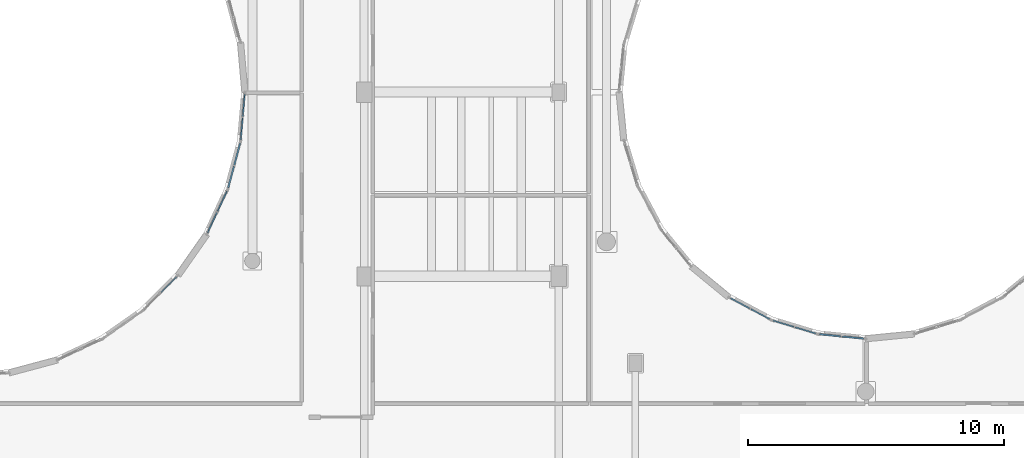
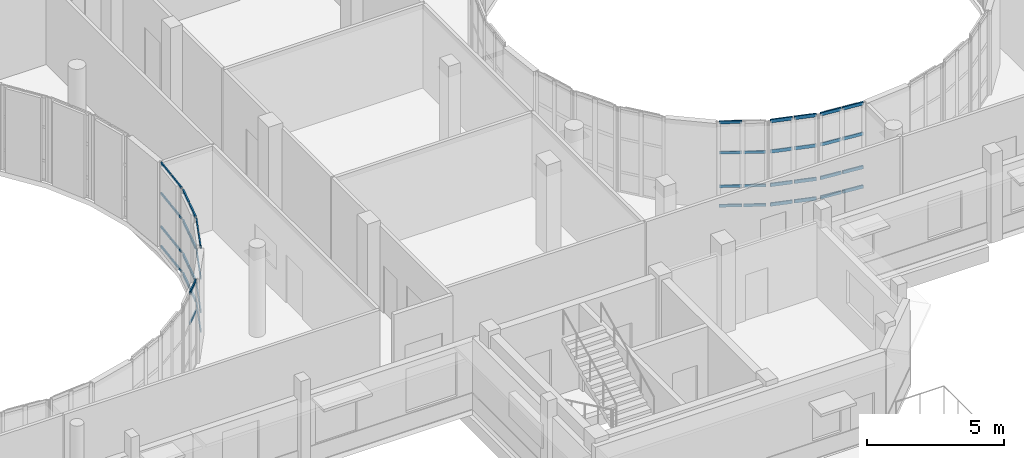
# One storey, part 49 of 89: 49 members, 7 elements without a shape of their own.
"""IFC4 building model written with IfcOpenShell, lengths in metres."""

from ifc_helpers import new_model, si_unit, direction, frame, origin, origin_2d, place, context, subcontext, project, spatial, hollow_rectangle, extrude, material, layer, layer_set, material_profile, profile_set, type_object, element, aggregate, save


model = new_model("IFC4")

# Units and contexts
model_context = context("Model", 3, precision=1e-05, world=origin(), true_north=direction((0.0, 1.0)))
body_context = subcontext(model_context, "Body", "Model", "MODEL_VIEW")
ifc_project = project(units=[si_unit("LENGTHUNIT", "METRE"), si_unit("AREAUNIT", "SQUARE_METRE"), si_unit("VOLUMEUNIT", "CUBIC_METRE"), si_unit("PLANEANGLEUNIT", "RADIAN"), si_unit("MASSUNIT", "GRAM", prefix="KILO")], contexts=[model_context])

# Site, building, storey
site_placement = place(None, origin())
site = spatial("IfcSite", under=ifc_project, at=site_placement, CompositionType="ELEMENT")
building_placement = place(site_placement, origin())
building = spatial("IfcBuilding", under=site, at=building_placement, Name="Kelanivale Promenade Academy", CompositionType="ELEMENT")
storey_placement = place(building_placement, frame((0.0, 0.0, 12.199951171875)))
storey = spatial("IfcBuildingStorey", under=building, at=storey_placement, Name="L03", CompositionType="ELEMENT", Elevation=12.199951171875)

# Curtain wall, members
ifc_material_1 = material(Name="Bronze anodised aluminium and solar-control low-E glass", Category="aluminium")
ifc_layer_1 = layer(ifc_material_1, 0.169921875)
ifc_layer_set_1 = layer_set([ifc_layer_1], Name="Bronze anodised aluminium and solar-control low-E glass")
curtain_wall_type_1 = type_object("IfcCurtainWallType", Name="CW-13 Curtain Wall 1350mm Module", PredefinedType="USERDEFINED", material=ifc_layer_set_1)
curtain_wall_1_placement = place(storey_placement, origin())
curtain_wall_1 = element("IfcCurtainWall", 1, at=curtain_wall_1_placement, inside=storey, type_object=curtain_wall_type_1, Name="L03 courtyard curtain wall CW-13", ObjectType="COURTYARD SCREEN GLAZING", PredefinedType="USERDEFINED")
ifc_material_2 = material(Name="Bronze anodised aluminium EN AW-6063 T6", Category="aluminium")
ifc_material_profile_1 = material_profile(ifc_material_2, hollow_rectangle(XDim=0.050048828125, YDim=0.10009765625, WallThickness=0.0029296875, at=origin_2d()), Name="ALU 50x100x3.0")
ifc_profile_set_1 = profile_set([ifc_material_profile_1], Name="Bronze anodised aluminium EN AW-6063 T6")
member_type_1 = type_object("IfcMemberType", Name="CWT-01 ALU 50x100x3.0", PredefinedType="USERDEFINED", material=ifc_profile_set_1)
member_1_placement = place(storey_placement, frame((74.377197265625, 54.937744140625, 0.025146484375), z_axis=(0.087314650278, 0.996180782713, 0.0), x_axis=(-0.996180782713, 0.087314650278, 0.0)))
member_1 = element("IfcMember", 2, at=member_1_placement, type_object=member_type_1, Name="CW-13 transom 1.1", ObjectType="TRANSOM", PredefinedType="USERDEFINED", context=body_context, shape_type="SweptSolid", body=[
    extrude(hollow_rectangle(XDim=0.050048828125, YDim=0.10009765625, WallThickness=0.0029296875, at=origin_2d()), origin(), (0.0, 0.0, 1.0), 0.861083984375),
])
member_2_placement = place(storey_placement, frame((74.377197265625, 54.937744140625, 0.900146484375), z_axis=(0.087314650278, 0.996180782713, 0.0), x_axis=(-0.996180782713, 0.087314650278, 0.0)))
member_2 = element("IfcMember", 3, at=member_2_placement, type_object=member_type_1, Name="CW-13 transom 1.2", ObjectType="TRANSOM", PredefinedType="USERDEFINED", context=body_context, shape_type="SweptSolid", body=[
    extrude(hollow_rectangle(XDim=0.050048828125, YDim=0.10009765625, WallThickness=0.0029296875, at=origin_2d()), origin(), (0.0, 0.0, 1.0), 0.861083984375),
])
member_3_placement = place(storey_placement, frame((74.377197265625, 54.937744140625, 2.400146484375), z_axis=(0.087314650278, 0.996180782713, 0.0), x_axis=(-0.996180782713, 0.087314650278, 0.0)))
member_3 = element("IfcMember", 4, at=member_3_placement, type_object=member_type_1, Name="CW-13 transom 1.3", ObjectType="TRANSOM", PredefinedType="USERDEFINED", context=body_context, shape_type="SweptSolid", body=[
    extrude(hollow_rectangle(XDim=0.050048828125, YDim=0.10009765625, WallThickness=0.0029296875, at=origin_2d()), origin(), (0.0, 0.0, 1.0), 0.861083984375),
])
member_4_placement = place(storey_placement, frame((74.377197265625, 54.937744140625, 3.755126953125), z_axis=(0.087314650278, 0.996180782713, 0.0), x_axis=(-0.996180782713, 0.087314650278, 0.0)))
member_4 = element("IfcMember", 5, at=member_4_placement, type_object=member_type_1, Name="CW-13 transom 1.4", ObjectType="TRANSOM", PredefinedType="USERDEFINED", context=body_context, shape_type="SweptSolid", body=[
    extrude(hollow_rectangle(XDim=0.050048828125, YDim=0.10009765625, WallThickness=0.0029296875, at=origin_2d()), origin(), (0.0, 0.0, 1.0), 0.861083984375),
])
member_5_placement = place(storey_placement, frame((74.45751953125, 55.85546875, 0.025146484375), z_axis=(0.087339315434, 0.996178620519, 0.0), x_axis=(-0.996178620519, 0.087339315434, 0.0)))
member_5 = element("IfcMember", 6, at=member_5_placement, type_object=member_type_1, Name="CW-13 transom 2.1", ObjectType="TRANSOM", PredefinedType="USERDEFINED", context=body_context, shape_type="SweptSolid", body=[
    extrude(hollow_rectangle(XDim=0.050048828125, YDim=0.10009765625, WallThickness=0.0029296875, at=origin_2d()), origin(), (0.0, 0.0, 1.0), 0.86083984375),
])
member_6_placement = place(storey_placement, frame((74.45751953125, 55.85546875, 0.900146484375), z_axis=(0.087339315434, 0.996178620519, 0.0), x_axis=(-0.996178620519, 0.087339315434, 0.0)))
member_6 = element("IfcMember", 7, at=member_6_placement, type_object=member_type_1, Name="CW-13 transom 2.2", ObjectType="TRANSOM", PredefinedType="USERDEFINED", context=body_context, shape_type="SweptSolid", body=[
    extrude(hollow_rectangle(XDim=0.050048828125, YDim=0.10009765625, WallThickness=0.0029296875, at=origin_2d()), origin(), (0.0, 0.0, 1.0), 0.86083984375),
])
member_7_placement = place(storey_placement, frame((74.45751953125, 55.85546875, 2.400146484375), z_axis=(0.087339315434, 0.996178620519, 0.0), x_axis=(-0.996178620519, 0.087339315434, 0.0)))
member_7 = element("IfcMember", 8, at=member_7_placement, type_object=member_type_1, Name="CW-13 transom 2.3", ObjectType="TRANSOM", PredefinedType="USERDEFINED", context=body_context, shape_type="SweptSolid", body=[
    extrude(hollow_rectangle(XDim=0.050048828125, YDim=0.10009765625, WallThickness=0.0029296875, at=origin_2d()), origin(), (0.0, 0.0, 1.0), 0.86083984375),
])
member_8_placement = place(storey_placement, frame((74.45751953125, 55.85546875, 3.755126953125), z_axis=(0.087339315434, 0.996178620519, 0.0), x_axis=(-0.996178620519, 0.087339315434, 0.0)))
member_8 = element("IfcMember", 9, at=member_8_placement, type_object=member_type_1, Name="CW-13 transom 2.4", ObjectType="TRANSOM", PredefinedType="USERDEFINED", context=body_context, shape_type="SweptSolid", body=[
    extrude(hollow_rectangle(XDim=0.050048828125, YDim=0.10009765625, WallThickness=0.0029296875, at=origin_2d()), origin(), (0.0, 0.0, 1.0), 0.86083984375),
])
aggregate(curtain_wall_1, [member_1, member_2, member_3, member_4, member_5, member_6, member_7, member_8])

ifc_layer_2 = layer(ifc_material_1, 0.179931640625)
ifc_layer_set_2 = layer_set([ifc_layer_2], Name="Bronze anodised aluminium and solar-control low-E glass")
curtain_wall_type_2 = type_object("IfcCurtainWallType", Name="CW-02 Curtain Wall 1500mm Module", PredefinedType="USERDEFINED", material=ifc_layer_set_2)
curtain_wall_2_placement = place(storey_placement, origin())
curtain_wall_2 = element("IfcCurtainWall", 10, at=curtain_wall_2_placement, inside=storey, type_object=curtain_wall_type_2, Name="L03 courtyard curtain wall CW-02", ObjectType="UNITISED GLAZING", PredefinedType="USERDEFINED")
ifc_material_profile_2 = material_profile(ifc_material_2, hollow_rectangle(XDim=0.050048828125, YDim=0.1201171875, WallThickness=0.0029296875, at=origin_2d()), Name="ALU 50x120x3.0")
ifc_profile_set_2 = profile_set([ifc_material_profile_2], Name="Bronze anodised aluminium EN AW-6063 T6")
member_type_2 = type_object("IfcMemberType", Name="CWT-02 ALU 50x120x3.0", PredefinedType="USERDEFINED", material=ifc_profile_set_2)
member_9_placement = place(storey_placement, frame((93.52197265625, 48.74267578125, 0.025146484375), z_axis=(0.881979921347, -0.471286980873, 0.0), x_axis=(0.471286980873, 0.881979921347, 0.0)))
member_9 = element("IfcMember", 11, at=member_9_placement, type_object=member_type_2, Name="CW-02 transom 1.1", ObjectType="TRANSOM", PredefinedType="USERDEFINED", context=body_context, shape_type="SweptSolid", body=[
    extrude(hollow_rectangle(XDim=0.050048828125, YDim=0.1201171875, WallThickness=0.0029296875, at=origin_2d()), origin(), (0.0, 0.0, 1.0), 0.833984375),
])
member_10_placement = place(storey_placement, frame((93.52197265625, 48.74267578125, 0.900146484375), z_axis=(0.881979921347, -0.471286980873, 0.0), x_axis=(0.471286980873, 0.881979921347, 0.0)))
member_10 = element("IfcMember", 12, at=member_10_placement, type_object=member_type_2, Name="CW-02 transom 1.2", ObjectType="TRANSOM", PredefinedType="USERDEFINED", context=body_context, shape_type="SweptSolid", body=[
    extrude(hollow_rectangle(XDim=0.050048828125, YDim=0.1201171875, WallThickness=0.0029296875, at=origin_2d()), origin(), (0.0, 0.0, 1.0), 0.833984375),
])
member_11_placement = place(storey_placement, frame((93.52197265625, 48.74267578125, 2.400146484375), z_axis=(0.881979921347, -0.471286980873, 0.0), x_axis=(0.471286980873, 0.881979921347, 0.0)))
member_11 = element("IfcMember", 13, at=member_11_placement, type_object=member_type_2, Name="CW-02 transom 1.3", ObjectType="TRANSOM", PredefinedType="USERDEFINED", context=body_context, shape_type="SweptSolid", body=[
    extrude(hollow_rectangle(XDim=0.050048828125, YDim=0.1201171875, WallThickness=0.0029296875, at=origin_2d()), origin(), (0.0, 0.0, 1.0), 0.833984375),
])
member_12_placement = place(storey_placement, frame((93.52197265625, 48.74267578125, 3.755126953125), z_axis=(0.881979921347, -0.471286980873, 0.0), x_axis=(0.471286980873, 0.881979921347, 0.0)))
member_12 = element("IfcMember", 14, at=member_12_placement, type_object=member_type_2, Name="CW-02 transom 1.4", ObjectType="TRANSOM", PredefinedType="USERDEFINED", context=body_context, shape_type="SweptSolid", body=[
    extrude(hollow_rectangle(XDim=0.050048828125, YDim=0.1201171875, WallThickness=0.0029296875, at=origin_2d()), origin(), (0.0, 0.0, 1.0), 0.833984375),
])
member_13_placement = place(storey_placement, frame((94.310546875, 48.3212890625, 0.025146484375), z_axis=(0.881979921347, -0.471286980873, 0.0), x_axis=(0.471286980873, 0.881979921347, 0.0)))
member_13 = element("IfcMember", 15, at=member_13_placement, type_object=member_type_2, Name="CW-02 transom 2.1", ObjectType="TRANSOM", PredefinedType="USERDEFINED", context=body_context, shape_type="SweptSolid", body=[
    extrude(hollow_rectangle(XDim=0.050048828125, YDim=0.1201171875, WallThickness=0.0029296875, at=origin_2d()), origin(), (0.0, 0.0, 1.0), 0.833984375),
])
member_14_placement = place(storey_placement, frame((94.310546875, 48.3212890625, 0.900146484375), z_axis=(0.881979921347, -0.471286980873, 0.0), x_axis=(0.471286980873, 0.881979921347, 0.0)))
member_14 = element("IfcMember", 16, at=member_14_placement, type_object=member_type_2, Name="CW-02 transom 2.2", ObjectType="TRANSOM", PredefinedType="USERDEFINED", context=body_context, shape_type="SweptSolid", body=[
    extrude(hollow_rectangle(XDim=0.050048828125, YDim=0.1201171875, WallThickness=0.0029296875, at=origin_2d()), origin(), (0.0, 0.0, 1.0), 0.833984375),
])
member_15_placement = place(storey_placement, frame((94.310546875, 48.3212890625, 2.400146484375), z_axis=(0.881979921347, -0.471286980873, 0.0), x_axis=(0.471286980873, 0.881979921347, 0.0)))
member_15 = element("IfcMember", 17, at=member_15_placement, type_object=member_type_2, Name="CW-02 transom 2.3", ObjectType="TRANSOM", PredefinedType="USERDEFINED", context=body_context, shape_type="SweptSolid", body=[
    extrude(hollow_rectangle(XDim=0.050048828125, YDim=0.1201171875, WallThickness=0.0029296875, at=origin_2d()), origin(), (0.0, 0.0, 1.0), 0.833984375),
])
aggregate(curtain_wall_2, [member_9, member_10, member_11, member_12, member_13, member_14, member_15])

ifc_layer_3 = layer(ifc_material_1, 0.169921875)
ifc_layer_set_3 = layer_set([ifc_layer_3], Name="Bronze anodised aluminium and solar-control low-E glass")
curtain_wall_type_3 = type_object("IfcCurtainWallType", Name="CW-10 Curtain Wall 1800mm Module", PredefinedType="USERDEFINED", material=ifc_layer_set_3)
curtain_wall_3_placement = place(storey_placement, origin())
curtain_wall_3 = element("IfcCurtainWall", 18, at=curtain_wall_3_placement, inside=storey, type_object=curtain_wall_type_3, Name="L03 courtyard curtain wall CW-10", ObjectType="UNITISED GLAZING", PredefinedType="USERDEFINED")
member_16_placement = place(storey_placement, frame((71.26318359375, 48.96826171875, 2.400146484375), z_axis=(0.707106781187, 0.707106781187, 0.0), x_axis=(-0.707106781187, 0.707106781187, 0.0)))
member_16 = element("IfcMember", 19, at=member_16_placement, type_object=member_type_2, Name="CW-10 transom 2.3", ObjectType="TRANSOM", PredefinedType="USERDEFINED", context=body_context, shape_type="SweptSolid", body=[
    extrude(hollow_rectangle(XDim=0.050048828125, YDim=0.1201171875, WallThickness=0.0029296875, at=origin_2d()), origin(), (0.0, 0.0, 1.0), 0.8603515625),
])
member_17_placement = place(storey_placement, frame((71.26318359375, 48.96826171875, 3.755126953125), z_axis=(0.707106781187, 0.707106781187, 0.0), x_axis=(-0.707106781187, 0.707106781187, 0.0)))
member_17 = element("IfcMember", 20, at=member_17_placement, type_object=member_type_2, Name="CW-10 transom 2.4", ObjectType="TRANSOM", PredefinedType="USERDEFINED", context=body_context, shape_type="SweptSolid", body=[
    extrude(hollow_rectangle(XDim=0.050048828125, YDim=0.1201171875, WallThickness=0.0029296875, at=origin_2d()), origin(), (0.0, 0.0, 1.0), 0.8603515625),
])
aggregate(curtain_wall_3, [member_16, member_17])

ifc_layer_4 = layer(ifc_material_1, 0.159912109375)
ifc_layer_set_4 = layer_set([ifc_layer_4], Name="Bronze anodised aluminium and solar-control low-E glass")
curtain_wall_type_4 = type_object("IfcCurtainWallType", Name="CW-03 Curtain Wall 1650mm Module", PredefinedType="USERDEFINED", material=ifc_layer_set_4)
curtain_wall_4_placement = place(storey_placement, origin())
curtain_wall_4 = element("IfcCurtainWall", 21, at=curtain_wall_4_placement, inside=storey, type_object=curtain_wall_type_4, Name="L03 courtyard curtain wall CW-03", ObjectType="UNITISED GLAZING", PredefinedType="USERDEFINED")
ifc_material_profile_3 = material_profile(ifc_material_2, hollow_rectangle(XDim=0.050048828125, YDim=0.14990234375, WallThickness=0.00341796875, at=origin_2d()), Name="ALU 50x150x3.5")
ifc_profile_set_3 = profile_set([ifc_material_profile_3], Name="Bronze anodised aluminium EN AW-6063 T6")
member_type_3 = type_object("IfcMemberType", Name="CWT-03 ALU 50x150x3.5", PredefinedType="USERDEFINED", material=ifc_profile_set_3)
member_18_placement = place(storey_placement, frame((95.186279296875, 47.8701171875, 0.025146484375), z_axis=(0.957024404433, -0.290007395283, 0.0), x_axis=(0.290007395283, 0.957024404433, 0.0)))
member_18 = element("IfcMember", 22, at=member_18_placement, type_object=member_type_3, Name="CW-03 transom 1.1", ObjectType="TRANSOM", PredefinedType="USERDEFINED", context=body_context, shape_type="SweptSolid", body=[
    extrude(hollow_rectangle(XDim=0.050048828125, YDim=0.14990234375, WallThickness=0.00341796875, at=origin_2d()), origin(), (0.0, 0.0, 1.0), 0.83349609375),
])
member_19_placement = place(storey_placement, frame((95.186279296875, 47.8701171875, 0.900146484375), z_axis=(0.957024404433, -0.290007395283, 0.0), x_axis=(0.290007395283, 0.957024404433, 0.0)))
member_19 = element("IfcMember", 23, at=member_19_placement, type_object=member_type_3, Name="CW-03 transom 1.2", ObjectType="TRANSOM", PredefinedType="USERDEFINED", context=body_context, shape_type="SweptSolid", body=[
    extrude(hollow_rectangle(XDim=0.050048828125, YDim=0.14990234375, WallThickness=0.00341796875, at=origin_2d()), origin(), (0.0, 0.0, 1.0), 0.83349609375),
])
member_20_placement = place(storey_placement, frame((95.186279296875, 47.8701171875, 2.400146484375), z_axis=(0.957024404433, -0.290007395283, 0.0), x_axis=(0.290007395283, 0.957024404433, 0.0)))
member_20 = element("IfcMember", 24, at=member_20_placement, type_object=member_type_3, Name="CW-03 transom 1.3", ObjectType="TRANSOM", PredefinedType="USERDEFINED", context=body_context, shape_type="SweptSolid", body=[
    extrude(hollow_rectangle(XDim=0.050048828125, YDim=0.14990234375, WallThickness=0.00341796875, at=origin_2d()), origin(), (0.0, 0.0, 1.0), 0.83349609375),
])
member_21_placement = place(storey_placement, frame((95.186279296875, 47.8701171875, 3.755126953125), z_axis=(0.957024404433, -0.290007395283, 0.0), x_axis=(0.290007395283, 0.957024404433, 0.0)))
member_21 = element("IfcMember", 25, at=member_21_placement, type_object=member_type_3, Name="CW-03 transom 1.4", ObjectType="TRANSOM", PredefinedType="USERDEFINED", context=body_context, shape_type="SweptSolid", body=[
    extrude(hollow_rectangle(XDim=0.050048828125, YDim=0.14990234375, WallThickness=0.00341796875, at=origin_2d()), origin(), (0.0, 0.0, 1.0), 0.83349609375),
])
member_22_placement = place(storey_placement, frame((96.046142578125, 47.609619140625, 0.025146484375), z_axis=(0.957024404433, -0.290007395283, 0.0), x_axis=(0.290007395283, 0.957024404433, 0.0)))
member_22 = element("IfcMember", 26, at=member_22_placement, type_object=member_type_3, Name="CW-03 transom 2.1", ObjectType="TRANSOM", PredefinedType="USERDEFINED", context=body_context, shape_type="SweptSolid", body=[
    extrude(hollow_rectangle(XDim=0.050048828125, YDim=0.14990234375, WallThickness=0.00341796875, at=origin_2d()), origin(), (0.0, 0.0, 1.0), 0.83349609375),
])
member_23_placement = place(storey_placement, frame((96.046142578125, 47.609619140625, 0.900146484375), z_axis=(0.957024404433, -0.290007395283, 0.0), x_axis=(0.290007395283, 0.957024404433, 0.0)))
member_23 = element("IfcMember", 27, at=member_23_placement, type_object=member_type_3, Name="CW-03 transom 2.2", ObjectType="TRANSOM", PredefinedType="USERDEFINED", context=body_context, shape_type="SweptSolid", body=[
    extrude(hollow_rectangle(XDim=0.050048828125, YDim=0.14990234375, WallThickness=0.00341796875, at=origin_2d()), origin(), (0.0, 0.0, 1.0), 0.83349609375),
])
member_24_placement = place(storey_placement, frame((96.046142578125, 47.609619140625, 2.400146484375), z_axis=(0.957024404433, -0.290007395283, 0.0), x_axis=(0.290007395283, 0.957024404433, 0.0)))
member_24 = element("IfcMember", 28, at=member_24_placement, type_object=member_type_3, Name="CW-03 transom 2.3", ObjectType="TRANSOM", PredefinedType="USERDEFINED", context=body_context, shape_type="SweptSolid", body=[
    extrude(hollow_rectangle(XDim=0.050048828125, YDim=0.14990234375, WallThickness=0.00341796875, at=origin_2d()), origin(), (0.0, 0.0, 1.0), 0.83349609375),
])
member_25_placement = place(storey_placement, frame((96.046142578125, 47.609619140625, 3.755126953125), z_axis=(0.957024404433, -0.290007395283, 0.0), x_axis=(0.290007395283, 0.957024404433, 0.0)))
member_25 = element("IfcMember", 29, at=member_25_placement, type_object=member_type_3, Name="CW-03 transom 2.4", ObjectType="TRANSOM", PredefinedType="USERDEFINED", context=body_context, shape_type="SweptSolid", body=[
    extrude(hollow_rectangle(XDim=0.050048828125, YDim=0.14990234375, WallThickness=0.00341796875, at=origin_2d()), origin(), (0.0, 0.0, 1.0), 0.83349609375),
])
aggregate(curtain_wall_4, [member_18, member_19, member_20, member_21, member_22, member_23, member_24, member_25])

ifc_layer_5 = layer(ifc_material_1, 0.179931640625)
ifc_layer_set_5 = layer_set([ifc_layer_5], Name="Bronze anodised aluminium and solar-control low-E glass")
curtain_wall_type_5 = type_object("IfcCurtainWallType", Name="CW-11 Curtain Wall 1950mm Module", PredefinedType="USERDEFINED", material=ifc_layer_set_5)
curtain_wall_5_placement = place(storey_placement, origin())
curtain_wall_5 = element("IfcCurtainWall", 30, at=curtain_wall_5_placement, inside=storey, type_object=curtain_wall_type_5, Name="L03 courtyard curtain wall CW-11", ObjectType="UNITISED GLAZING", PredefinedType="USERDEFINED")
member_26_placement = place(storey_placement, frame((73.08642578125, 51.31396484375, 0.025146484375), z_axis=(0.423151534201, 0.906058926949, 0.0), x_axis=(-0.906058926949, 0.423151534201, 0.0)))
member_26 = element("IfcMember", 31, at=member_26_placement, type_object=member_type_3, Name="CW-11 transom 1.1", ObjectType="TRANSOM", PredefinedType="USERDEFINED", context=body_context, shape_type="SweptSolid", body=[
    extrude(hollow_rectangle(XDim=0.050048828125, YDim=0.14990234375, WallThickness=0.00341796875, at=origin_2d()), origin(), (0.0, 0.0, 1.0), 0.85400390625),
])
member_27_placement = place(storey_placement, frame((73.08642578125, 51.31396484375, 0.900146484375), z_axis=(0.423151534201, 0.906058926949, 0.0), x_axis=(-0.906058926949, 0.423151534201, 0.0)))
member_27 = element("IfcMember", 32, at=member_27_placement, type_object=member_type_3, Name="CW-11 transom 1.2", ObjectType="TRANSOM", PredefinedType="USERDEFINED", context=body_context, shape_type="SweptSolid", body=[
    extrude(hollow_rectangle(XDim=0.050048828125, YDim=0.14990234375, WallThickness=0.00341796875, at=origin_2d()), origin(), (0.0, 0.0, 1.0), 0.85400390625),
])
member_28_placement = place(storey_placement, frame((73.08642578125, 51.31396484375, 2.400146484375), z_axis=(0.423151534201, 0.906058926949, 0.0), x_axis=(-0.906058926949, 0.423151534201, 0.0)))
member_28 = element("IfcMember", 33, at=member_28_placement, type_object=member_type_3, Name="CW-11 transom 1.3", ObjectType="TRANSOM", PredefinedType="USERDEFINED", context=body_context, shape_type="SweptSolid", body=[
    extrude(hollow_rectangle(XDim=0.050048828125, YDim=0.14990234375, WallThickness=0.00341796875, at=origin_2d()), origin(), (0.0, 0.0, 1.0), 0.85400390625),
])
member_29_placement = place(storey_placement, frame((73.08642578125, 51.31396484375, 3.755126953125), z_axis=(0.423151534201, 0.906058926949, 0.0), x_axis=(-0.906058926949, 0.423151534201, 0.0)))
member_29 = element("IfcMember", 34, at=member_29_placement, type_object=member_type_3, Name="CW-11 transom 1.4", ObjectType="TRANSOM", PredefinedType="USERDEFINED", context=body_context, shape_type="SweptSolid", body=[
    extrude(hollow_rectangle(XDim=0.050048828125, YDim=0.14990234375, WallThickness=0.00341796875, at=origin_2d()), origin(), (0.0, 0.0, 1.0), 0.85400390625),
])
member_30_placement = place(storey_placement, frame((73.475341796875, 52.146484375, 0.025146484375), z_axis=(0.42291677323, 0.906168528984, 0.0), x_axis=(-0.906168528984, 0.42291677323, 0.0)))
member_30 = element("IfcMember", 35, at=member_30_placement, type_object=member_type_3, Name="CW-11 transom 2.1", ObjectType="TRANSOM", PredefinedType="USERDEFINED", context=body_context, shape_type="SweptSolid", body=[
    extrude(hollow_rectangle(XDim=0.050048828125, YDim=0.14990234375, WallThickness=0.00341796875, at=origin_2d()), origin(), (0.0, 0.0, 1.0), 0.853759765625),
])
member_31_placement = place(storey_placement, frame((73.475341796875, 52.146484375, 0.900146484375), z_axis=(0.42291677323, 0.906168528984, 0.0), x_axis=(-0.906168528984, 0.42291677323, 0.0)))
member_31 = element("IfcMember", 36, at=member_31_placement, type_object=member_type_3, Name="CW-11 transom 2.2", ObjectType="TRANSOM", PredefinedType="USERDEFINED", context=body_context, shape_type="SweptSolid", body=[
    extrude(hollow_rectangle(XDim=0.050048828125, YDim=0.14990234375, WallThickness=0.00341796875, at=origin_2d()), origin(), (0.0, 0.0, 1.0), 0.853759765625),
])
member_32_placement = place(storey_placement, frame((73.475341796875, 52.146484375, 2.400146484375), z_axis=(0.42291677323, 0.906168528984, 0.0), x_axis=(-0.906168528984, 0.42291677323, 0.0)))
member_32 = element("IfcMember", 37, at=member_32_placement, type_object=member_type_3, Name="CW-11 transom 2.3", ObjectType="TRANSOM", PredefinedType="USERDEFINED", context=body_context, shape_type="SweptSolid", body=[
    extrude(hollow_rectangle(XDim=0.050048828125, YDim=0.14990234375, WallThickness=0.00341796875, at=origin_2d()), origin(), (0.0, 0.0, 1.0), 0.853759765625),
])
member_33_placement = place(storey_placement, frame((73.475341796875, 52.146484375, 3.755126953125), z_axis=(0.42291677323, 0.906168528984, 0.0), x_axis=(-0.906168528984, 0.42291677323, 0.0)))
member_33 = element("IfcMember", 38, at=member_33_placement, type_object=member_type_3, Name="CW-11 transom 2.4", ObjectType="TRANSOM", PredefinedType="USERDEFINED", context=body_context, shape_type="SweptSolid", body=[
    extrude(hollow_rectangle(XDim=0.050048828125, YDim=0.14990234375, WallThickness=0.00341796875, at=origin_2d()), origin(), (0.0, 0.0, 1.0), 0.853759765625),
])
aggregate(curtain_wall_5, [member_26, member_27, member_28, member_29, member_30, member_31, member_32, member_33])

ifc_layer_6 = layer(ifc_material_1, 0.169921875)
ifc_layer_set_6 = layer_set([ifc_layer_6], Name="Bronze anodised aluminium and solar-control low-E glass")
curtain_wall_type_6 = type_object("IfcCurtainWallType", Name="CW-04 Curtain Wall 1800mm Module", PredefinedType="USERDEFINED", material=ifc_layer_set_6)
curtain_wall_6_placement = place(storey_placement, origin())
curtain_wall_6 = element("IfcCurtainWall", 39, at=curtain_wall_6_placement, inside=storey, type_object=curtain_wall_type_6, Name="L03 courtyard curtain wall CW-04", ObjectType="UNITISED GLAZING", PredefinedType="USERDEFINED")
ifc_material_profile_4 = material_profile(ifc_material_2, hollow_rectangle(XDim=0.06005859375, YDim=0.139892578125, WallThickness=0.00341796875, at=origin_2d()), Name="ALU 60x140x3.5")
ifc_profile_set_4 = profile_set([ifc_material_profile_4], Name="Bronze anodised aluminium EN AW-6063 T6")
member_type_4 = type_object("IfcMemberType", Name="CWT-04 ALU 60x140x3.5", PredefinedType="USERDEFINED", material=ifc_profile_set_4)
member_34_placement = place(storey_placement, frame((96.997802734375, 47.337646484375, 0.030029296875), z_axis=(0.995113003658, -0.098742645045, 0.0), x_axis=(0.098742645045, 0.995113003658, 0.0)))
member_34 = element("IfcMember", 40, at=member_34_placement, type_object=member_type_4, Name="CW-04 transom 1.1", ObjectType="TRANSOM", PredefinedType="USERDEFINED", context=body_context, shape_type="SweptSolid", body=[
    extrude(hollow_rectangle(XDim=0.06005859375, YDim=0.139892578125, WallThickness=0.00341796875, at=origin_2d()), origin(), (0.0, 0.0, 1.0), 0.825927734375),
])
member_35_placement = place(storey_placement, frame((96.997802734375, 47.337646484375, 0.900146484375), z_axis=(0.995113003658, -0.098742645045, 0.0), x_axis=(0.098742645045, 0.995113003658, 0.0)))
member_35 = element("IfcMember", 41, at=member_35_placement, type_object=member_type_4, Name="CW-04 transom 1.2", ObjectType="TRANSOM", PredefinedType="USERDEFINED", context=body_context, shape_type="SweptSolid", body=[
    extrude(hollow_rectangle(XDim=0.06005859375, YDim=0.139892578125, WallThickness=0.00341796875, at=origin_2d()), origin(), (0.0, 0.0, 1.0), 0.825927734375),
])
member_36_placement = place(storey_placement, frame((96.997802734375, 47.337646484375, 2.400146484375), z_axis=(0.995113003658, -0.098742645045, 0.0), x_axis=(0.098742645045, 0.995113003658, 0.0)))
member_36 = element("IfcMember", 42, at=member_36_placement, type_object=member_type_4, Name="CW-04 transom 1.3", ObjectType="TRANSOM", PredefinedType="USERDEFINED", context=body_context, shape_type="SweptSolid", body=[
    extrude(hollow_rectangle(XDim=0.06005859375, YDim=0.139892578125, WallThickness=0.00341796875, at=origin_2d()), origin(), (0.0, 0.0, 1.0), 0.825927734375),
])
member_37_placement = place(storey_placement, frame((96.997802734375, 47.337646484375, 3.75), z_axis=(0.995113003658, -0.098742645045, 0.0), x_axis=(0.098742645045, 0.995113003658, 0.0)))
member_37 = element("IfcMember", 43, at=member_37_placement, type_object=member_type_4, Name="CW-04 transom 1.4", ObjectType="TRANSOM", PredefinedType="USERDEFINED", context=body_context, shape_type="SweptSolid", body=[
    extrude(hollow_rectangle(XDim=0.06005859375, YDim=0.139892578125, WallThickness=0.00341796875, at=origin_2d()), origin(), (0.0, 0.0, 1.0), 0.825927734375),
])
member_38_placement = place(storey_placement, frame((97.88427734375, 47.249755859375, 0.030029296875), z_axis=(0.995144874966, -0.0984209217, 0.0), x_axis=(0.0984209217, 0.995144874966, 0.0)))
member_38 = element("IfcMember", 44, at=member_38_placement, type_object=member_type_4, Name="CW-04 transom 2.1", ObjectType="TRANSOM", PredefinedType="USERDEFINED", context=body_context, shape_type="SweptSolid", body=[
    extrude(hollow_rectangle(XDim=0.06005859375, YDim=0.139892578125, WallThickness=0.00341796875, at=origin_2d()), origin(), (0.0, 0.0, 1.0), 0.825927734375),
])
member_39_placement = place(storey_placement, frame((97.88427734375, 47.249755859375, 0.900146484375), z_axis=(0.995144874966, -0.0984209217, 0.0), x_axis=(0.0984209217, 0.995144874966, 0.0)))
member_39 = element("IfcMember", 45, at=member_39_placement, type_object=member_type_4, Name="CW-04 transom 2.2", ObjectType="TRANSOM", PredefinedType="USERDEFINED", context=body_context, shape_type="SweptSolid", body=[
    extrude(hollow_rectangle(XDim=0.06005859375, YDim=0.139892578125, WallThickness=0.00341796875, at=origin_2d()), origin(), (0.0, 0.0, 1.0), 0.825927734375),
])
member_40_placement = place(storey_placement, frame((97.88427734375, 47.249755859375, 2.400146484375), z_axis=(0.995144874966, -0.0984209217, 0.0), x_axis=(0.0984209217, 0.995144874966, 0.0)))
member_40 = element("IfcMember", 46, at=member_40_placement, type_object=member_type_4, Name="CW-04 transom 2.3", ObjectType="TRANSOM", PredefinedType="USERDEFINED", context=body_context, shape_type="SweptSolid", body=[
    extrude(hollow_rectangle(XDim=0.06005859375, YDim=0.139892578125, WallThickness=0.00341796875, at=origin_2d()), origin(), (0.0, 0.0, 1.0), 0.825927734375),
])
member_41_placement = place(storey_placement, frame((97.88427734375, 47.249755859375, 3.75), z_axis=(0.995144874966, -0.0984209217, 0.0), x_axis=(0.0984209217, 0.995144874966, 0.0)))
member_41 = element("IfcMember", 47, at=member_41_placement, type_object=member_type_4, Name="CW-04 transom 2.4", ObjectType="TRANSOM", PredefinedType="USERDEFINED", context=body_context, shape_type="SweptSolid", body=[
    extrude(hollow_rectangle(XDim=0.06005859375, YDim=0.139892578125, WallThickness=0.00341796875, at=origin_2d()), origin(), (0.0, 0.0, 1.0), 0.825927734375),
])
aggregate(curtain_wall_6, [member_34, member_35, member_36, member_37, member_38, member_39, member_40, member_41])

ifc_layer_7 = layer(ifc_material_1, 0.159912109375)
ifc_layer_set_7 = layer_set([ifc_layer_7], Name="Bronze anodised aluminium and solar-control low-E glass")
curtain_wall_type_7 = type_object("IfcCurtainWallType", Name="CW-12 Curtain Wall 1200mm Module", PredefinedType="USERDEFINED", material=ifc_layer_set_7)
curtain_wall_7_placement = place(storey_placement, origin())
curtain_wall_7 = element("IfcCurtainWall", 48, at=curtain_wall_7_placement, inside=storey, type_object=curtain_wall_type_7, Name="L03 courtyard curtain wall CW-12", ObjectType="UNITISED GLAZING", PredefinedType="USERDEFINED")
member_42_placement = place(storey_placement, frame((73.888916015625, 53.064697265625, 0.030029296875), z_axis=(0.258580186254, 0.965989796673, 0.0), x_axis=(-0.965989796673, 0.258580186254, 0.0)))
member_42 = element("IfcMember", 49, at=member_42_placement, type_object=member_type_4, Name="CW-12 transom 1.1", ObjectType="TRANSOM", PredefinedType="USERDEFINED", context=body_context, shape_type="SweptSolid", body=[
    extrude(hollow_rectangle(XDim=0.06005859375, YDim=0.139892578125, WallThickness=0.00341796875, at=origin_2d()), origin(), (0.0, 0.0, 1.0), 0.861083984375),
])
member_43_placement = place(storey_placement, frame((73.888916015625, 53.064697265625, 0.900146484375), z_axis=(0.258580186254, 0.965989796673, 0.0), x_axis=(-0.965989796673, 0.258580186254, 0.0)))
member_43 = element("IfcMember", 50, at=member_43_placement, type_object=member_type_4, Name="CW-12 transom 1.2", ObjectType="TRANSOM", PredefinedType="USERDEFINED", context=body_context, shape_type="SweptSolid", body=[
    extrude(hollow_rectangle(XDim=0.06005859375, YDim=0.139892578125, WallThickness=0.00341796875, at=origin_2d()), origin(), (0.0, 0.0, 1.0), 0.861083984375),
])
member_44_placement = place(storey_placement, frame((73.888916015625, 53.064697265625, 2.400146484375), z_axis=(0.258580186254, 0.965989796673, 0.0), x_axis=(-0.965989796673, 0.258580186254, 0.0)))
member_44 = element("IfcMember", 51, at=member_44_placement, type_object=member_type_4, Name="CW-12 transom 1.3", ObjectType="TRANSOM", PredefinedType="USERDEFINED", context=body_context, shape_type="SweptSolid", body=[
    extrude(hollow_rectangle(XDim=0.06005859375, YDim=0.139892578125, WallThickness=0.00341796875, at=origin_2d()), origin(), (0.0, 0.0, 1.0), 0.861083984375),
])
member_45_placement = place(storey_placement, frame((73.888916015625, 53.064697265625, 3.75), z_axis=(0.258580186254, 0.965989796673, 0.0), x_axis=(-0.965989796673, 0.258580186254, 0.0)))
member_45 = element("IfcMember", 52, at=member_45_placement, type_object=member_type_4, Name="CW-12 transom 1.4", ObjectType="TRANSOM", PredefinedType="USERDEFINED", context=body_context, shape_type="SweptSolid", body=[
    extrude(hollow_rectangle(XDim=0.06005859375, YDim=0.139892578125, WallThickness=0.00341796875, at=origin_2d()), origin(), (0.0, 0.0, 1.0), 0.861083984375),
])
member_46_placement = place(storey_placement, frame((74.12841796875, 53.95947265625, 0.030029296875), z_axis=(0.258580186254, 0.965989796673, 0.0), x_axis=(-0.965989796673, 0.258580186254, 0.0)))
member_46 = element("IfcMember", 53, at=member_46_placement, type_object=member_type_4, Name="CW-12 transom 2.1", ObjectType="TRANSOM", PredefinedType="USERDEFINED", context=body_context, shape_type="SweptSolid", body=[
    extrude(hollow_rectangle(XDim=0.06005859375, YDim=0.139892578125, WallThickness=0.00341796875, at=origin_2d()), origin(), (0.0, 0.0, 1.0), 0.861083984375),
])
member_47_placement = place(storey_placement, frame((74.12841796875, 53.95947265625, 0.900146484375), z_axis=(0.258580186254, 0.965989796673, 0.0), x_axis=(-0.965989796673, 0.258580186254, 0.0)))
member_47 = element("IfcMember", 54, at=member_47_placement, type_object=member_type_4, Name="CW-12 transom 2.2", ObjectType="TRANSOM", PredefinedType="USERDEFINED", context=body_context, shape_type="SweptSolid", body=[
    extrude(hollow_rectangle(XDim=0.06005859375, YDim=0.139892578125, WallThickness=0.00341796875, at=origin_2d()), origin(), (0.0, 0.0, 1.0), 0.861083984375),
])
member_48_placement = place(storey_placement, frame((74.12841796875, 53.95947265625, 2.400146484375), z_axis=(0.258580186254, 0.965989796673, 0.0), x_axis=(-0.965989796673, 0.258580186254, 0.0)))
member_48 = element("IfcMember", 55, at=member_48_placement, type_object=member_type_4, Name="CW-12 transom 2.3", ObjectType="TRANSOM", PredefinedType="USERDEFINED", context=body_context, shape_type="SweptSolid", body=[
    extrude(hollow_rectangle(XDim=0.06005859375, YDim=0.139892578125, WallThickness=0.00341796875, at=origin_2d()), origin(), (0.0, 0.0, 1.0), 0.861083984375),
])
member_49_placement = place(storey_placement, frame((74.12841796875, 53.95947265625, 3.75), z_axis=(0.258580186254, 0.965989796673, 0.0), x_axis=(-0.965989796673, 0.258580186254, 0.0)))
member_49 = element("IfcMember", 56, at=member_49_placement, type_object=member_type_4, Name="CW-12 transom 2.4", ObjectType="TRANSOM", PredefinedType="USERDEFINED", context=body_context, shape_type="SweptSolid", body=[
    extrude(hollow_rectangle(XDim=0.06005859375, YDim=0.139892578125, WallThickness=0.00341796875, at=origin_2d()), origin(), (0.0, 0.0, 1.0), 0.861083984375),
])
aggregate(curtain_wall_7, [member_42, member_43, member_44, member_45, member_46, member_47, member_48, member_49])

save(model, "model.ifc")
